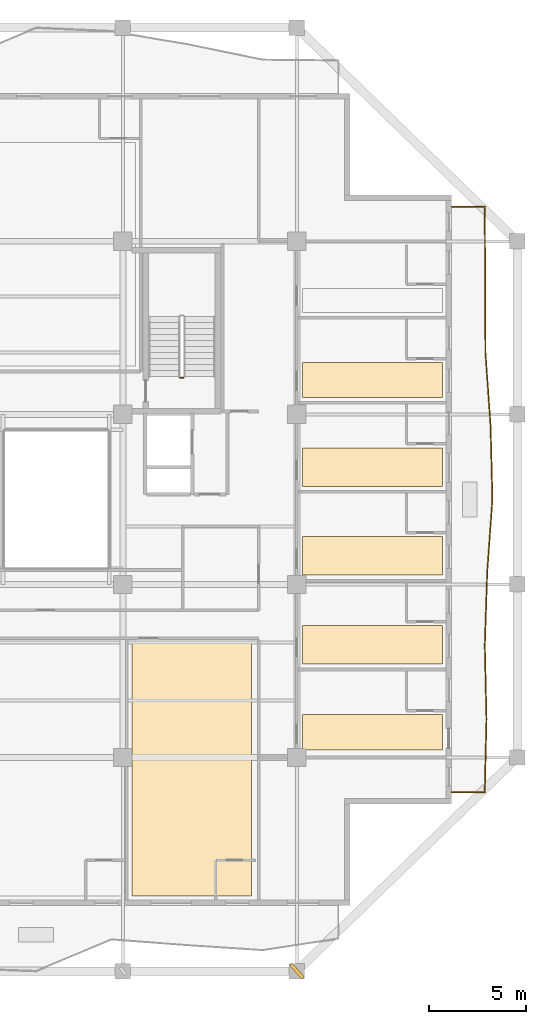
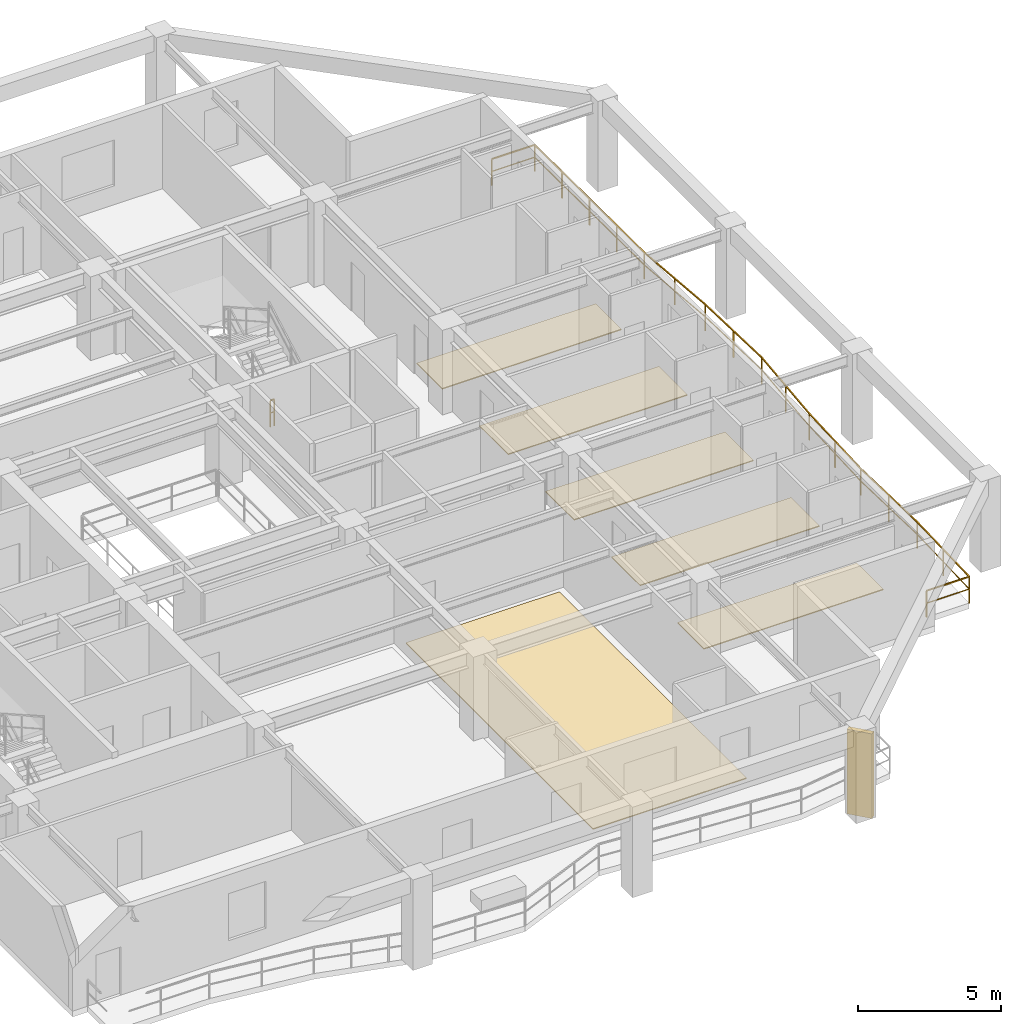
# One storey, part 10 of 13: 6 coverings, 2 railings, 1 shading device.
"""IFC4 building model written with IfcOpenShell, lengths in metres."""

from ifc_helpers import new_model, si_unit, direction, frame, origin, origin_2d, place, context, subcontext, project, spatial, polyline, rectangle, outline, extrude, material, layer, layer_set, type_object, element, save


model = new_model("IFC4")

# Units and contexts
model_context = context("Model", 3, precision=1e-05, world=origin(), true_north=direction((0.0, 1.0)))
body_context = subcontext(model_context, "Body", "Model", "MODEL_VIEW")
ifc_project = project(units=[si_unit("LENGTHUNIT", "METRE"), si_unit("AREAUNIT", "SQUARE_METRE"), si_unit("VOLUMEUNIT", "CUBIC_METRE"), si_unit("PLANEANGLEUNIT", "RADIAN"), si_unit("MASSUNIT", "GRAM", prefix="KILO")], contexts=[model_context])

# Site, building, storey
site_placement = place(None, origin())
site = spatial("IfcSite", under=ifc_project, at=site_placement, CompositionType="ELEMENT")
building_placement = place(site_placement, origin())
building = spatial("IfcBuilding", under=site, at=building_placement, Name="Kundavana Baori Tower", CompositionType="ELEMENT")
storey_placement = place(building_placement, frame((0.0, 0.0, 188.699951171875)))
storey = spatial("IfcBuildingStorey", under=building, at=storey_placement, Name="L46", CompositionType="ELEMENT", Elevation=188.699951171875)

# Coverings
ifc_material_1 = material(Name="Honed Kota Stone and Terrazzo Flooring", Category="masonry")
ifc_layer = layer(ifc_material_1, 0.0400390625, Name="COV-FLR-TERR-40")
ifc_layer_set = layer_set([ifc_layer], Name="Honed Kota Stone and Terrazzo Flooring")
covering_type = type_object("IfcCoveringType", Name="COV-FLR-TERR-40", PredefinedType="FLOORING", material=ifc_layer_set)
covering_1_placement = place(storey_placement, origin())
element("IfcCovering", 1, at=covering_1_placement, inside=storey, type_object=covering_type, Name="L46 Room Finished Stone Flooring 3", PredefinedType="FLOORING", context=body_context, shape_type="SweptSolid", body=[
    extrude(outline(polyline([(34.280029296875, 8.080078125), (40.4599609375, 8.080078125), (40.4599609375, 21.139892578125), (34.280029296875, 21.139892578125), (34.280029296875, 8.080078125)])), origin(), (0.0, 0.0, 1.0), 0.0400390625),
])
covering_2_placement = place(storey_placement, origin())
element("IfcCovering", 2, at=covering_2_placement, inside=storey, type_object=covering_type, Name="L46 Room Finished Stone Flooring 4", PredefinedType="FLOORING", context=body_context, shape_type="SweptSolid", body=[
    extrude(outline(polyline([(43.10009765625, 15.6298828125), (50.320068359375, 15.6298828125), (50.320068359375, 17.469970703125), (43.10009765625, 17.469970703125), (43.10009765625, 15.6298828125)])), origin(), (0.0, 0.0, 1.0), 0.0400390625),
])
covering_3_placement = place(storey_placement, origin())
element("IfcCovering", 3, at=covering_3_placement, inside=storey, type_object=covering_type, Name="L46 Room Finished Stone Flooring 5", PredefinedType="FLOORING", context=body_context, shape_type="SweptSolid", body=[
    extrude(outline(polyline([(43.10009765625, 20.080078125), (50.320068359375, 20.080078125), (50.320068359375, 22.070068359375), (43.10009765625, 22.070068359375), (43.10009765625, 20.080078125)])), origin(), (0.0, 0.0, 1.0), 0.0400390625),
])
covering_4_placement = place(storey_placement, origin())
element("IfcCovering", 4, at=covering_4_placement, inside=storey, type_object=covering_type, Name="L46 Room Finished Stone Flooring 6", PredefinedType="FLOORING", context=body_context, shape_type="SweptSolid", body=[
    extrude(outline(polyline([(43.10009765625, 24.679931640625), (50.320068359375, 24.679931640625), (50.320068359375, 26.669921875), (43.10009765625, 26.669921875), (43.10009765625, 24.679931640625)])), origin(), (0.0, 0.0, 1.0), 0.0400390625),
])
covering_5_placement = place(storey_placement, origin())
element("IfcCovering", 5, at=covering_5_placement, inside=storey, type_object=covering_type, Name="L46 Room Finished Stone Flooring 7", PredefinedType="FLOORING", context=body_context, shape_type="SweptSolid", body=[
    extrude(outline(polyline([(43.10009765625, 29.280029296875), (50.320068359375, 29.280029296875), (50.320068359375, 31.27001953125), (43.10009765625, 31.27001953125), (43.10009765625, 29.280029296875)])), origin(), (0.0, 0.0, 1.0), 0.0400390625),
])
covering_6_placement = place(storey_placement, origin())
element("IfcCovering", 6, at=covering_6_placement, inside=storey, type_object=covering_type, Name="L46 Room Finished Stone Flooring 8", PredefinedType="FLOORING", context=body_context, shape_type="SweptSolid", body=[
    extrude(outline(polyline([(43.10009765625, 33.8798828125), (50.320068359375, 33.8798828125), (50.320068359375, 35.669921875), (43.10009765625, 35.669921875), (43.10009765625, 33.8798828125)])), origin(), (0.0, 0.0, 1.0), 0.0400390625),
])

# Railings
ifc_material_2 = material(Name="Architectural Patinated Bronze Metalwork")
railing_type_1 = type_object("IfcRailingType", Name="RL-BAL-1150", PredefinedType="BALUSTRADE", material=ifc_material_2)
railing_1_placement = place(storey_placement, frame((50.800048828125, 43.75, 0.0)))
element("IfcRailing", 7, at=railing_1_placement, inside=storey, type_object=railing_type_1, Name="L46 Loggia Balcony Balustrade E", PredefinedType="BALUSTRADE", context=body_context, shape_type="SweptSolid", body=[
    extrude(rectangle(XDim=0.048095703125, YDim=0.048095703125, at=origin_2d()), frame((0.0, 0.0, 1.1259765625), z_axis=(1.0, 0.0, 0.0), x_axis=(0.0, 1.0, 0.0)), (0.0, 0.0, 1.0), 1.719970703125),
    extrude(rectangle(XDim=0.03125, YDim=0.03125, at=origin_2d()), frame((0.0, 0.0, 0.597900390625), z_axis=(1.0, 0.0, 0.0), x_axis=(0.0, 1.0, 0.0)), (0.0, 0.0, 1.0), 1.719970703125),
    extrude(rectangle(XDim=0.048095703125, YDim=0.048095703125, at=origin_2d()), frame((1.719970703125, 0.0, 1.1259765625), z_axis=(0.005542580499, -0.999984639783, 0.0), x_axis=(0.999984639783, 0.005542580499, 0.0)), (0.0, 0.0, 1.0), 3.7880859375),
    extrude(rectangle(XDim=0.03125, YDim=0.03125, at=origin_2d()), frame((1.719970703125, 0.0, 0.597900390625), z_axis=(0.005542580499, -0.999984639783, 0.0), x_axis=(0.999984639783, 0.005542580499, 0.0)), (0.0, 0.0, 1.0), 3.7880859375),
    extrude(rectangle(XDim=0.048095703125, YDim=0.048095703125, at=origin_2d()), frame((1.740966796875, -3.7880859375, 1.1259765625), z_axis=(0.004190537636, -0.999991219659, 0.0), x_axis=(0.999991219659, 0.004190537636, 0.0)), (0.0, 0.0, 1.0), 3.786865234375),
    extrude(rectangle(XDim=0.03125, YDim=0.03125, at=origin_2d()), frame((1.740966796875, -3.7880859375, 0.597900390625), z_axis=(0.004190537636, -0.999991219659, 0.0), x_axis=(0.999991219659, 0.004190537636, 0.0)), (0.0, 0.0, 1.0), 3.786865234375),
    extrude(rectangle(XDim=0.048095703125, YDim=0.048095703125, at=origin_2d()), frame((1.7568359375, -7.574951171875, 1.1259765625), z_axis=(0.07009534059, -0.997540296543, 0.0), x_axis=(0.997540296543, 0.07009534059, 0.0)), (0.0, 0.0, 1.0), 3.79638671875),
    extrude(rectangle(XDim=0.03125, YDim=0.03125, at=origin_2d()), frame((1.7568359375, -7.574951171875, 0.597900390625), z_axis=(0.07009534059, -0.997540296543, 0.0), x_axis=(0.997540296543, 0.07009534059, 0.0)), (0.0, 0.0, 1.0), 3.79638671875),
    extrude(rectangle(XDim=0.048095703125, YDim=0.048095703125, at=origin_2d()), frame((2.02294921875, -11.362060546875, 1.1259765625), z_axis=(0.02454947939, -0.999698616115, 0.0), x_axis=(0.999698616115, 0.02454947939, 0.0)), (0.0, 0.0, 1.0), 3.7890625),
    extrude(rectangle(XDim=0.03125, YDim=0.03125, at=origin_2d()), frame((2.02294921875, -11.362060546875, 0.597900390625), z_axis=(0.02454947939, -0.999698616115, 0.0), x_axis=(0.999698616115, 0.02454947939, 0.0)), (0.0, 0.0, 1.0), 3.7890625),
    extrude(rectangle(XDim=0.048095703125, YDim=0.048095703125, at=origin_2d()), frame((2.115966796875, -15.14990234375, 1.1259765625), z_axis=(-0.071100854572, -0.997469131592, 0.0), x_axis=(0.997469131592, -0.071100854572, 0.0)), (0.0, 0.0, 1.0), 3.797607421875),
    extrude(rectangle(XDim=0.03125, YDim=0.03125, at=origin_2d()), frame((2.115966796875, -15.14990234375, 0.597900390625), z_axis=(-0.071100854572, -0.997469131592, 0.0), x_axis=(0.997469131592, -0.071100854572, 0.0)), (0.0, 0.0, 1.0), 3.797607421875),
    extrude(rectangle(XDim=0.048095703125, YDim=0.048095703125, at=origin_2d()), frame((1.845947265625, -18.93798828125, 1.1259765625), z_axis=(-0.032216378216, -0.999480917764, 0.0), x_axis=(0.999480917764, -0.032216378216, 0.0)), (0.0, 0.0, 1.0), 3.7890625),
    extrude(rectangle(XDim=0.03125, YDim=0.03125, at=origin_2d()), frame((1.845947265625, -18.93798828125, 0.597900390625), z_axis=(-0.032216378216, -0.999480917764, 0.0), x_axis=(0.999480917764, -0.032216378216, 0.0)), (0.0, 0.0, 1.0), 3.7890625),
    extrude(rectangle(XDim=0.048095703125, YDim=0.048095703125, at=origin_2d()), frame((1.723876953125, -22.72509765625, 1.1259765625), z_axis=(0.022752151448, -0.999741136297, 0.0), x_axis=(0.999741136297, 0.022752151448, 0.0)), (0.0, 0.0, 1.0), 3.787841796875),
    extrude(rectangle(XDim=0.03125, YDim=0.03125, at=origin_2d()), frame((1.723876953125, -22.72509765625, 0.597900390625), z_axis=(0.022752151448, -0.999741136297, 0.0), x_axis=(0.999741136297, 0.022752151448, 0.0)), (0.0, 0.0, 1.0), 3.787841796875),
    extrude(rectangle(XDim=0.048095703125, YDim=0.048095703125, at=origin_2d()), frame((1.81005859375, -26.511962890625, 1.1259765625), z_axis=(-0.023775180133, -0.999717330454, 0.0), x_axis=(0.999717330454, -0.023775180133, 0.0)), (0.0, 0.0, 1.0), 3.7890625),
    extrude(rectangle(XDim=0.03125, YDim=0.03125, at=origin_2d()), frame((1.81005859375, -26.511962890625, 0.597900390625), z_axis=(-0.023775180133, -0.999717330454, 0.0), x_axis=(0.999717330454, -0.023775180133, 0.0)), (0.0, 0.0, 1.0), 3.7890625),
    extrude(rectangle(XDim=0.048095703125, YDim=0.048095703125, at=origin_2d()), frame((1.719970703125, -30.300048828125, 1.1259765625), z_axis=(-1.0, 0.0, 0.0), x_axis=(0.0, -1.0, 0.0)), (0.0, 0.0, 1.0), 1.719970703125),
    extrude(rectangle(XDim=0.03125, YDim=0.03125, at=origin_2d()), frame((1.719970703125, -30.300048828125, 0.597900390625), z_axis=(-1.0, 0.0, 0.0), x_axis=(0.0, -1.0, 0.0)), (0.0, 0.0, 1.0), 1.719970703125),
    extrude(rectangle(XDim=0.0419921875, YDim=0.0419921875, at=origin_2d()), origin(), (0.0, 0.0, 1.0), 1.101806640625),
    extrude(rectangle(XDim=0.0419921875, YDim=0.0419921875, at=origin_2d()), frame((1.719970703125, 0.0, 0.0)), (0.0, 0.0, 1.0), 1.101806640625),
    extrude(rectangle(XDim=0.0419921875, YDim=0.0419921875, at=origin_2d()), frame((1.73046875, -1.89404296875, 0.0)), (0.0, 0.0, 1.0), 1.101806640625),
    extrude(rectangle(XDim=0.0419921875, YDim=0.0419921875, at=origin_2d()), frame((1.740966796875, -3.7880859375, 0.0)), (0.0, 0.0, 1.0), 1.101806640625),
    extrude(rectangle(XDim=0.0419921875, YDim=0.0419921875, at=origin_2d()), frame((1.7490234375, -5.681640625, 0.0)), (0.0, 0.0, 1.0), 1.101806640625),
    extrude(rectangle(XDim=0.0419921875, YDim=0.0419921875, at=origin_2d()), frame((1.7568359375, -7.574951171875, 0.0)), (0.0, 0.0, 1.0), 1.101806640625),
    extrude(rectangle(XDim=0.0419921875, YDim=0.0419921875, at=origin_2d()), frame((1.889892578125, -9.468505859375, 0.0)), (0.0, 0.0, 1.0), 1.101806640625),
    extrude(rectangle(XDim=0.0419921875, YDim=0.0419921875, at=origin_2d()), frame((2.02294921875, -11.362060546875, 0.0)), (0.0, 0.0, 1.0), 1.101806640625),
    extrude(rectangle(XDim=0.0419921875, YDim=0.0419921875, at=origin_2d()), frame((2.0693359375, -13.255859375, 0.0)), (0.0, 0.0, 1.0), 1.101806640625),
    extrude(rectangle(XDim=0.0419921875, YDim=0.0419921875, at=origin_2d()), frame((2.115966796875, -15.14990234375, 0.0)), (0.0, 0.0, 1.0), 1.101806640625),
    extrude(rectangle(XDim=0.0419921875, YDim=0.0419921875, at=origin_2d()), frame((1.98095703125, -17.0439453125, 0.0)), (0.0, 0.0, 1.0), 1.101806640625),
    extrude(rectangle(XDim=0.0419921875, YDim=0.0419921875, at=origin_2d()), frame((1.845947265625, -18.93798828125, 0.0)), (0.0, 0.0, 1.0), 1.101806640625),
    extrude(rectangle(XDim=0.0419921875, YDim=0.0419921875, at=origin_2d()), frame((1.784912109375, -20.83154296875, 0.0)), (0.0, 0.0, 1.0), 1.101806640625),
    extrude(rectangle(XDim=0.0419921875, YDim=0.0419921875, at=origin_2d()), frame((1.723876953125, -22.72509765625, 0.0)), (0.0, 0.0, 1.0), 1.101806640625),
    extrude(rectangle(XDim=0.0419921875, YDim=0.0419921875, at=origin_2d()), frame((1.76708984375, -24.61865234375, 0.0)), (0.0, 0.0, 1.0), 1.101806640625),
    extrude(rectangle(XDim=0.0419921875, YDim=0.0419921875, at=origin_2d()), frame((1.81005859375, -26.511962890625, 0.0)), (0.0, 0.0, 1.0), 1.101806640625),
    extrude(rectangle(XDim=0.0419921875, YDim=0.0419921875, at=origin_2d()), frame((1.76513671875, -28.406005859375, 0.0)), (0.0, 0.0, 1.0), 1.101806640625),
    extrude(rectangle(XDim=0.0419921875, YDim=0.0419921875, at=origin_2d()), frame((1.719970703125, -30.300048828125, 0.0)), (0.0, 0.0, 1.0), 1.101806640625),
    extrude(rectangle(XDim=0.0419921875, YDim=0.0419921875, at=origin_2d()), frame((0.0, -30.300048828125, 0.0)), (0.0, 0.0, 1.0), 1.101806640625),
])
ifc_material_3 = material(Name="Architectural Patinated Bronze Metalwork")
railing_type_2 = type_object("IfcRailingType", Name="RL-GRD-1150", PredefinedType="GUARDRAIL", material=ifc_material_3)
railing_2_placement = place(storey_placement, frame((36.929931640625, 34.89990234375, 0.0)))
element("IfcRailing", 8, at=railing_2_placement, inside=storey, type_object=railing_type_2, Name="L46 ST3 stair guard 4", PredefinedType="GUARDRAIL", context=body_context, shape_type="SweptSolid", body=[
    extrude(rectangle(XDim=0.048095703125, YDim=0.048095703125, at=origin_2d()), frame((0.0, 0.0, 1.1259765625), z_axis=(-1.0, 0.0, 0.0), x_axis=(0.0, -1.0, 0.0)), (0.0, 0.0, 1.0), 0.159912109375),
    extrude(rectangle(XDim=0.03125, YDim=0.03125, at=origin_2d()), frame((0.0, 0.0, 0.597900390625), z_axis=(-1.0, 0.0, 0.0), x_axis=(0.0, -1.0, 0.0)), (0.0, 0.0, 1.0), 0.159912109375),
    extrude(rectangle(XDim=0.0419921875, YDim=0.0419921875, at=origin_2d()), origin(), (0.0, 0.0, 1.0), 1.101806640625),
    extrude(rectangle(XDim=0.0419921875, YDim=0.0419921875, at=origin_2d()), frame((-0.159912109375, 0.0, 0.0)), (0.0, 0.0, 1.0), 1.101806640625),
])

# Shading device
ifc_material_4 = material(Name="Red-Buff Dholpur Sandstone Cladding on Concrete C40/50", Category="masonry")
shading_device_type = type_object("IfcShadingDeviceType", Name="SHD-FIN-920", PredefinedType="JALOUSIE", material=ifc_material_4)
shading_device_placement = place(storey_placement, frame((42.800048828125, 4.199951171875, 0.0), z_axis=(0.0, 0.0, 1.0), x_axis=(0.749071358396, 0.662489320691, 0.0)))
element("IfcShadingDevice", 9, at=shading_device_placement, inside=storey, type_object=shading_device_type, Name="L46 Sweeping Dholpur Sandstone Facade Fin 4", PredefinedType="JALOUSIE", context=body_context, shape_type="SweptSolid", body=[
    extrude(rectangle(XDim=0.179931640625, YDim=0.919921875, at=origin_2d()), origin(), (0.0, 0.0, 1.0), 3.60009765625),
])

save(model, "model.ifc")
